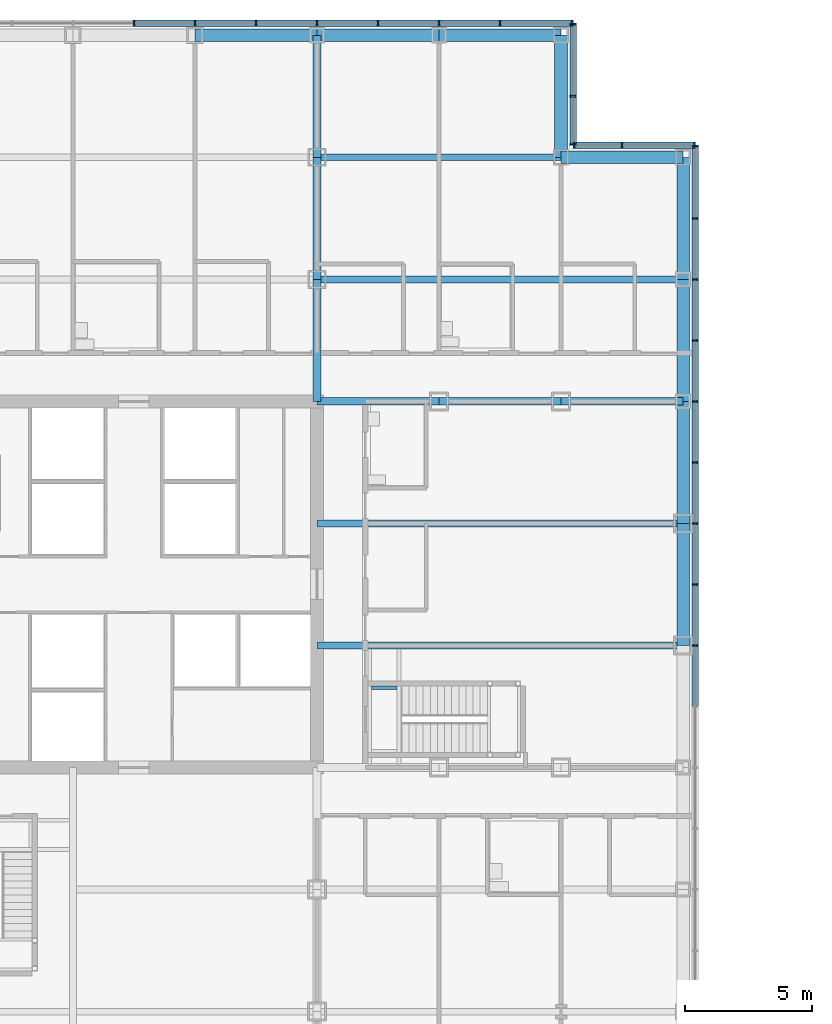
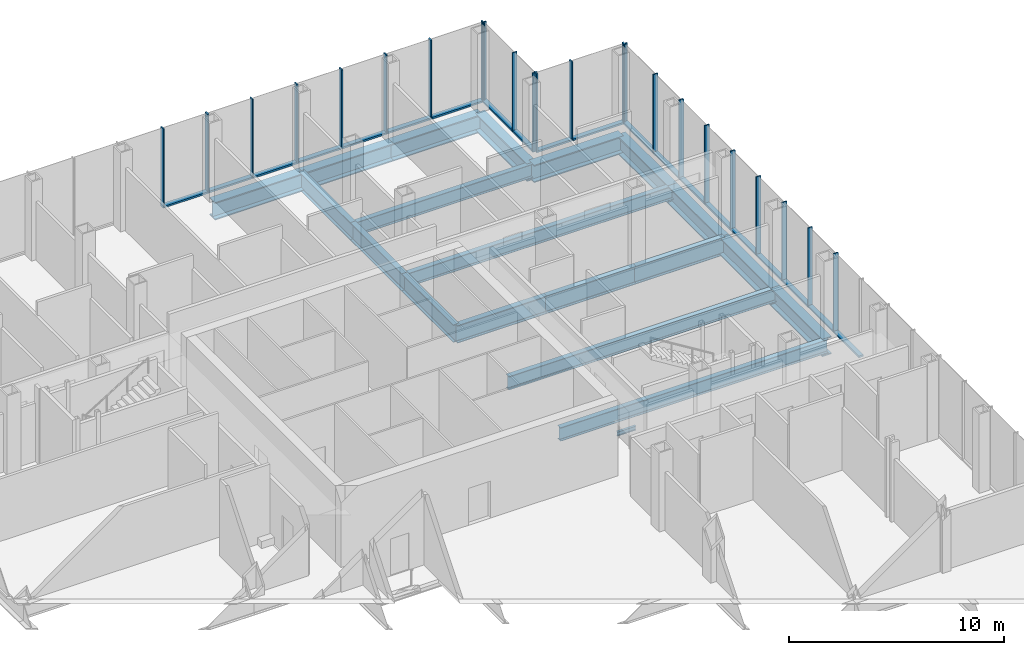
# One storey, part 16 of 28: 43 members, 20 beams, 4 elements without a shape of their own.
"""IFC4 building model written with IfcOpenShell, lengths in metres."""

from ifc_helpers import new_model, si_unit, direction, frame, origin, origin_2d, place, context, subcontext, project, spatial, rectangle, i_section, extrude, material, material_profile, profile_set, type_object, element, aggregate, save


model = new_model("IFC4")

# Units and contexts
model_context = context("Model", 3, precision=1e-05, world=origin(), true_north=direction((0.0, 1.0)))
body_context = subcontext(model_context, "Body", "Model", "MODEL_VIEW")
ifc_project = project(units=[si_unit("LENGTHUNIT", "METRE"), si_unit("AREAUNIT", "SQUARE_METRE"), si_unit("VOLUMEUNIT", "CUBIC_METRE"), si_unit("PLANEANGLEUNIT", "RADIAN"), si_unit("MASSUNIT", "GRAM", prefix="KILO")], contexts=[model_context])

# Site, building, storey
site_placement = place(None, origin())
site = spatial("IfcSite", under=ifc_project, at=site_placement, CompositionType="ELEMENT")
building_placement = place(site_placement, origin())
building = spatial("IfcBuilding", under=site, at=building_placement, Name="Kvirike Care Tower", CompositionType="ELEMENT")
storey_placement = place(building_placement, frame((0.0, 0.0, 4.5)))
storey = spatial("IfcBuildingStorey", under=building, at=storey_placement, Name="L01", CompositionType="ELEMENT", Elevation=4.5)

# Curtain wall, members
ifc_material_1 = material(Name="Anodised aluminium stick system", Category="aluminium")
curtain_wall_type = type_object("IfcCurtainWallType", Name="CW-P PODIUM STICK CURTAIN WALL", PredefinedType="NOTDEFINED", material=ifc_material_1)
curtain_wall_1_placement = place(storey_placement, origin())
curtain_wall_1 = element("IfcCurtainWall", 1, at=curtain_wall_1_placement, inside=storey, type_object=curtain_wall_type, Name="Curtain wall L01 face 8", PredefinedType="NOTDEFINED")
ifc_material_2 = material(Name="Bronze anodised aluminium mullion", Category="aluminium")
ifc_material_profile_1 = material_profile(ifc_material_2, rectangle(XDim=0.06494140625, YDim=0.25, at=origin_2d()), Name="CW-P MULLION 65x250")
ifc_profile_set_1 = profile_set([ifc_material_profile_1], Name="Bronze anodised aluminium mullion")
member_type_1 = type_object("IfcMemberType", Name="CW-P MULLION 65x250", PredefinedType="MULLION", material=ifc_profile_set_1)
member_1_placement = place(storey_placement, frame((43.675048828125, 33.60009765625, 0.0), z_axis=(0.0, 0.0, 1.0), x_axis=(0.0, 1.0, 0.0)))
member_1 = element("IfcMember", 2, at=member_1_placement, type_object=member_type_1, Name="CW-P mullion L01 face 8.9", PredefinedType="MULLION", context=body_context, shape_type="SweptSolid", body=[
    extrude(rectangle(XDim=0.06494140625, YDim=0.25, at=origin_2d()), origin(), (0.0, 0.0, 1.0), 4.5),
])
member_2_placement = place(storey_placement, frame((43.675048828125, 36.0, 0.0), z_axis=(0.0, 0.0, 1.0), x_axis=(0.0, 1.0, 0.0)))
member_2 = element("IfcMember", 3, at=member_2_placement, type_object=member_type_1, Name="CW-P mullion L01 face 8.10", PredefinedType="MULLION", context=body_context, shape_type="SweptSolid", body=[
    extrude(rectangle(XDim=0.06494140625, YDim=0.25, at=origin_2d()), origin(), (0.0, 0.0, 1.0), 4.5),
])
member_3_placement = place(storey_placement, frame((43.675048828125, 38.39990234375, 0.0), z_axis=(0.0, 0.0, 1.0), x_axis=(0.0, 1.0, 0.0)))
member_3 = element("IfcMember", 4, at=member_3_placement, type_object=member_type_1, Name="CW-P mullion L01 face 8.11", PredefinedType="MULLION", context=body_context, shape_type="SweptSolid", body=[
    extrude(rectangle(XDim=0.06494140625, YDim=0.25, at=origin_2d()), origin(), (0.0, 0.0, 1.0), 4.5),
])
member_4_placement = place(storey_placement, frame((43.675048828125, 40.800048828125, 0.0), z_axis=(0.0, 0.0, 1.0), x_axis=(0.0, 1.0, 0.0)))
member_4 = element("IfcMember", 5, at=member_4_placement, type_object=member_type_1, Name="CW-P mullion L01 face 8.12", PredefinedType="MULLION", context=body_context, shape_type="SweptSolid", body=[
    extrude(rectangle(XDim=0.06494140625, YDim=0.25, at=origin_2d()), origin(), (0.0, 0.0, 1.0), 4.5),
])
member_5_placement = place(storey_placement, frame((43.675048828125, 43.199951171875, 0.0), z_axis=(0.0, 0.0, 1.0), x_axis=(0.0, 1.0, 0.0)))
member_5 = element("IfcMember", 6, at=member_5_placement, type_object=member_type_1, Name="CW-P mullion L01 face 8.13", PredefinedType="MULLION", context=body_context, shape_type="SweptSolid", body=[
    extrude(rectangle(XDim=0.06494140625, YDim=0.25, at=origin_2d()), origin(), (0.0, 0.0, 1.0), 4.5),
])
member_6_placement = place(storey_placement, frame((43.675048828125, 45.60009765625, 0.0), z_axis=(0.0, 0.0, 1.0), x_axis=(0.0, 1.0, 0.0)))
member_6 = element("IfcMember", 7, at=member_6_placement, type_object=member_type_1, Name="CW-P mullion L01 face 8.14", PredefinedType="MULLION", context=body_context, shape_type="SweptSolid", body=[
    extrude(rectangle(XDim=0.06494140625, YDim=0.25, at=origin_2d()), origin(), (0.0, 0.0, 1.0), 4.5),
])
member_7_placement = place(storey_placement, frame((43.675048828125, 48.0, 0.0), z_axis=(0.0, 0.0, 1.0), x_axis=(0.0, 1.0, 0.0)))
member_7 = element("IfcMember", 8, at=member_7_placement, type_object=member_type_1, Name="CW-P mullion L01 face 8.15", PredefinedType="MULLION", context=body_context, shape_type="SweptSolid", body=[
    extrude(rectangle(XDim=0.06494140625, YDim=0.25, at=origin_2d()), origin(), (0.0, 0.0, 1.0), 4.5),
])
member_8_placement = place(storey_placement, frame((43.675048828125, 50.39990234375, 0.0), z_axis=(0.0, 0.0, 1.0), x_axis=(0.0, 1.0, 0.0)))
member_8 = element("IfcMember", 9, at=member_8_placement, type_object=member_type_1, Name="CW-P mullion L01 face 8.16", PredefinedType="MULLION", context=body_context, shape_type="SweptSolid", body=[
    extrude(rectangle(XDim=0.06494140625, YDim=0.25, at=origin_2d()), origin(), (0.0, 0.0, 1.0), 4.5),
])
member_9_placement = place(storey_placement, frame((43.675048828125, 53.242431640625, 0.0), z_axis=(0.0, 0.0, 1.0), x_axis=(0.0, 1.0, 0.0)))
member_9 = element("IfcMember", 10, at=member_9_placement, type_object=member_type_1, Name="CW-P mullion L01 face 8.17", PredefinedType="MULLION", context=body_context, shape_type="SweptSolid", body=[
    extrude(rectangle(XDim=0.06494140625, YDim=0.25, at=origin_2d()), origin(), (0.0, 0.0, 1.0), 4.5),
])

curtain_wall_2_placement = place(storey_placement, origin())
curtain_wall_2 = element("IfcCurtainWall", 11, at=curtain_wall_2_placement, inside=storey, type_object=curtain_wall_type, Name="Curtain wall L01 face 9", PredefinedType="NOTDEFINED")
member_10_placement = place(storey_placement, frame((43.642578125, 53.27490234375, 0.0), z_axis=(0.0, 0.0, 1.0), x_axis=(-1.0, 0.0, 0.0)))
member_10 = element("IfcMember", 12, at=member_10_placement, type_object=member_type_1, Name="CW-P mullion L01 face 9.1", PredefinedType="MULLION", context=body_context, shape_type="SweptSolid", body=[
    extrude(rectangle(XDim=0.06494140625, YDim=0.25, at=origin_2d()), origin(), (0.0, 0.0, 1.0), 4.5),
])
member_11_placement = place(storey_placement, frame((40.800048828125, 53.27490234375, 0.0), z_axis=(0.0, 0.0, 1.0), x_axis=(-1.0, 0.0, 0.0)))
member_11 = element("IfcMember", 13, at=member_11_placement, type_object=member_type_1, Name="CW-P mullion L01 face 9.2", PredefinedType="MULLION", context=body_context, shape_type="SweptSolid", body=[
    extrude(rectangle(XDim=0.06494140625, YDim=0.25, at=origin_2d()), origin(), (0.0, 0.0, 1.0), 4.5),
])
member_12_placement = place(storey_placement, frame((38.907470703125, 53.27490234375, 0.0), z_axis=(0.0, 0.0, 1.0), x_axis=(-1.0, 0.0, 0.0)))
member_12 = element("IfcMember", 14, at=member_12_placement, type_object=member_type_1, Name="CW-P mullion L01 face 9.3", PredefinedType="MULLION", context=body_context, shape_type="SweptSolid", body=[
    extrude(rectangle(XDim=0.06494140625, YDim=0.25, at=origin_2d()), origin(), (0.0, 0.0, 1.0), 4.5),
])

curtain_wall_3_placement = place(storey_placement, origin())
curtain_wall_3 = element("IfcCurtainWall", 15, at=curtain_wall_3_placement, inside=storey, type_object=curtain_wall_type, Name="Curtain wall L01 face 10", PredefinedType="NOTDEFINED")
member_13_placement = place(storey_placement, frame((38.875, 53.3076171875, 0.0), z_axis=(0.0, 0.0, 1.0), x_axis=(0.0, 1.0, 0.0)))
member_13 = element("IfcMember", 16, at=member_13_placement, type_object=member_type_1, Name="CW-P mullion L01 face 10.1", PredefinedType="MULLION", context=body_context, shape_type="SweptSolid", body=[
    extrude(rectangle(XDim=0.06494140625, YDim=0.25, at=origin_2d()), origin(), (0.0, 0.0, 1.0), 4.5),
])
member_14_placement = place(storey_placement, frame((38.875, 55.199951171875, 0.0), z_axis=(0.0, 0.0, 1.0), x_axis=(0.0, 1.0, 0.0)))
member_14 = element("IfcMember", 17, at=member_14_placement, type_object=member_type_1, Name="CW-P mullion L01 face 10.2", PredefinedType="MULLION", context=body_context, shape_type="SweptSolid", body=[
    extrude(rectangle(XDim=0.06494140625, YDim=0.25, at=origin_2d()), origin(), (0.0, 0.0, 1.0), 4.5),
])
member_15_placement = place(storey_placement, frame((38.875, 58.04248046875, 0.0), z_axis=(0.0, 0.0, 1.0), x_axis=(0.0, 1.0, 0.0)))
member_15 = element("IfcMember", 18, at=member_15_placement, type_object=member_type_1, Name="CW-P mullion L01 face 10.3", PredefinedType="MULLION", context=body_context, shape_type="SweptSolid", body=[
    extrude(rectangle(XDim=0.06494140625, YDim=0.25, at=origin_2d()), origin(), (0.0, 0.0, 1.0), 4.5),
])

curtain_wall_4_placement = place(storey_placement, origin())
curtain_wall_4 = element("IfcCurtainWall", 19, at=curtain_wall_4_placement, inside=storey, type_object=curtain_wall_type, Name="Curtain wall L01 face 11", PredefinedType="NOTDEFINED")
member_16_placement = place(storey_placement, frame((38.842529296875, 58.074951171875, 0.0), z_axis=(0.0, 0.0, 1.0), x_axis=(-1.0, 0.0, 0.0)))
member_16 = element("IfcMember", 20, at=member_16_placement, type_object=member_type_1, Name="CW-P mullion L01 face 11.1", PredefinedType="MULLION", context=body_context, shape_type="SweptSolid", body=[
    extrude(rectangle(XDim=0.06494140625, YDim=0.25, at=origin_2d()), origin(), (0.0, 0.0, 1.0), 4.5),
])
member_17_placement = place(storey_placement, frame((36.0, 58.074951171875, 0.0), z_axis=(0.0, 0.0, 1.0), x_axis=(-1.0, 0.0, 0.0)))
member_17 = element("IfcMember", 21, at=member_17_placement, type_object=member_type_1, Name="CW-P mullion L01 face 11.2", PredefinedType="MULLION", context=body_context, shape_type="SweptSolid", body=[
    extrude(rectangle(XDim=0.06494140625, YDim=0.25, at=origin_2d()), origin(), (0.0, 0.0, 1.0), 4.5),
])
member_18_placement = place(storey_placement, frame((33.60009765625, 58.074951171875, 0.0), z_axis=(0.0, 0.0, 1.0), x_axis=(-1.0, 0.0, 0.0)))
member_18 = element("IfcMember", 22, at=member_18_placement, type_object=member_type_1, Name="CW-P mullion L01 face 11.3", PredefinedType="MULLION", context=body_context, shape_type="SweptSolid", body=[
    extrude(rectangle(XDim=0.06494140625, YDim=0.25, at=origin_2d()), origin(), (0.0, 0.0, 1.0), 4.5),
])
member_19_placement = place(storey_placement, frame((31.199951171875, 58.074951171875, 0.0), z_axis=(0.0, 0.0, 1.0), x_axis=(-1.0, 0.0, 0.0)))
member_19 = element("IfcMember", 23, at=member_19_placement, type_object=member_type_1, Name="CW-P mullion L01 face 11.4", PredefinedType="MULLION", context=body_context, shape_type="SweptSolid", body=[
    extrude(rectangle(XDim=0.06494140625, YDim=0.25, at=origin_2d()), origin(), (0.0, 0.0, 1.0), 4.5),
])
member_20_placement = place(storey_placement, frame((28.800048828125, 58.074951171875, 0.0), z_axis=(0.0, 0.0, 1.0), x_axis=(-1.0, 0.0, 0.0)))
member_20 = element("IfcMember", 24, at=member_20_placement, type_object=member_type_1, Name="CW-P mullion L01 face 11.5", PredefinedType="MULLION", context=body_context, shape_type="SweptSolid", body=[
    extrude(rectangle(XDim=0.06494140625, YDim=0.25, at=origin_2d()), origin(), (0.0, 0.0, 1.0), 4.5),
])
member_21_placement = place(storey_placement, frame((26.39990234375, 58.074951171875, 0.0), z_axis=(0.0, 0.0, 1.0), x_axis=(-1.0, 0.0, 0.0)))
member_21 = element("IfcMember", 25, at=member_21_placement, type_object=member_type_1, Name="CW-P mullion L01 face 11.6", PredefinedType="MULLION", context=body_context, shape_type="SweptSolid", body=[
    extrude(rectangle(XDim=0.06494140625, YDim=0.25, at=origin_2d()), origin(), (0.0, 0.0, 1.0), 4.5),
])
member_22_placement = place(storey_placement, frame((24.0, 58.074951171875, 0.0), z_axis=(0.0, 0.0, 1.0), x_axis=(-1.0, 0.0, 0.0)))
member_22 = element("IfcMember", 26, at=member_22_placement, type_object=member_type_1, Name="CW-P mullion L01 face 11.7", PredefinedType="MULLION", context=body_context, shape_type="SweptSolid", body=[
    extrude(rectangle(XDim=0.06494140625, YDim=0.25, at=origin_2d()), origin(), (0.0, 0.0, 1.0), 4.5),
])
member_23_placement = place(storey_placement, frame((21.60009765625, 58.074951171875, 0.0), z_axis=(0.0, 0.0, 1.0), x_axis=(-1.0, 0.0, 0.0)))
member_23 = element("IfcMember", 27, at=member_23_placement, type_object=member_type_1, Name="CW-P mullion L01 face 11.8", PredefinedType="MULLION", context=body_context, shape_type="SweptSolid", body=[
    extrude(rectangle(XDim=0.06494140625, YDim=0.25, at=origin_2d()), origin(), (0.0, 0.0, 1.0), 4.5),
])

# Member
ifc_material_3 = material(Name="Bronze anodised aluminium transom", Category="aluminium")
ifc_material_profile_2 = material_profile(ifc_material_3, rectangle(XDim=0.25, YDim=0.10009765625, at=origin_2d()), Name="CW-P TRANSOM 250x100")
ifc_profile_set_2 = profile_set([ifc_material_profile_2], Name="Bronze anodised aluminium transom")
member_type_2 = type_object("IfcMemberType", Name="CW-P TRANSOM 250x100", PredefinedType="USERDEFINED", material=ifc_profile_set_2)
member_24_placement = place(storey_placement, frame((43.675048828125, 31.232421875, 0.050048828125), z_axis=(0.0, 1.0, 0.0), x_axis=(-1.0, 0.0, 0.0)))
member_24 = element("IfcMember", 28, at=member_24_placement, type_object=member_type_2, Name="CW-P sill transom L01 face 8.8", ObjectType="TRANSOM", PredefinedType="USERDEFINED", context=body_context, shape_type="SweptSolid", body=[
    extrude(rectangle(XDim=0.25, YDim=0.10009765625, at=origin_2d()), origin(), (0.0, 0.0, 1.0), 2.3349609375),
])

member_25_placement = place(storey_placement, frame((43.675048828125, 33.632568359375, 0.050048828125), z_axis=(0.0, 1.0, 0.0), x_axis=(-1.0, 0.0, 0.0)))
member_25 = element("IfcMember", 29, at=member_25_placement, type_object=member_type_2, Name="CW-P sill transom L01 face 8.9", ObjectType="TRANSOM", PredefinedType="USERDEFINED", context=body_context, shape_type="SweptSolid", body=[
    extrude(rectangle(XDim=0.25, YDim=0.10009765625, at=origin_2d()), origin(), (0.0, 0.0, 1.0), 2.3349609375),
])

member_26_placement = place(storey_placement, frame((43.675048828125, 36.032470703125, 0.050048828125), z_axis=(0.0, 1.0, 0.0), x_axis=(-1.0, 0.0, 0.0)))
member_26 = element("IfcMember", 30, at=member_26_placement, type_object=member_type_2, Name="CW-P sill transom L01 face 8.10", ObjectType="TRANSOM", PredefinedType="USERDEFINED", context=body_context, shape_type="SweptSolid", body=[
    extrude(rectangle(XDim=0.25, YDim=0.10009765625, at=origin_2d()), origin(), (0.0, 0.0, 1.0), 2.3349609375),
])

member_27_placement = place(storey_placement, frame((43.675048828125, 38.4326171875, 0.050048828125), z_axis=(0.0, 1.0, 0.0), x_axis=(-1.0, 0.0, 0.0)))
member_27 = element("IfcMember", 31, at=member_27_placement, type_object=member_type_2, Name="CW-P sill transom L01 face 8.11", ObjectType="TRANSOM", PredefinedType="USERDEFINED", context=body_context, shape_type="SweptSolid", body=[
    extrude(rectangle(XDim=0.25, YDim=0.10009765625, at=origin_2d()), origin(), (0.0, 0.0, 1.0), 2.3349609375),
])

member_28_placement = place(storey_placement, frame((43.675048828125, 40.83251953125, 0.050048828125), z_axis=(0.0, 1.0, 0.0), x_axis=(-1.0, 0.0, 0.0)))
member_28 = element("IfcMember", 32, at=member_28_placement, type_object=member_type_2, Name="CW-P sill transom L01 face 8.12", ObjectType="TRANSOM", PredefinedType="USERDEFINED", context=body_context, shape_type="SweptSolid", body=[
    extrude(rectangle(XDim=0.25, YDim=0.10009765625, at=origin_2d()), origin(), (0.0, 0.0, 1.0), 2.3349609375),
])

member_29_placement = place(storey_placement, frame((43.675048828125, 43.232421875, 0.050048828125), z_axis=(0.0, 1.0, 0.0), x_axis=(-1.0, 0.0, 0.0)))
member_29 = element("IfcMember", 33, at=member_29_placement, type_object=member_type_2, Name="CW-P sill transom L01 face 8.13", ObjectType="TRANSOM", PredefinedType="USERDEFINED", context=body_context, shape_type="SweptSolid", body=[
    extrude(rectangle(XDim=0.25, YDim=0.10009765625, at=origin_2d()), origin(), (0.0, 0.0, 1.0), 2.3349609375),
])

member_30_placement = place(storey_placement, frame((43.675048828125, 45.632568359375, 0.050048828125), z_axis=(0.0, 1.0, 0.0), x_axis=(-1.0, 0.0, 0.0)))
member_30 = element("IfcMember", 34, at=member_30_placement, type_object=member_type_2, Name="CW-P sill transom L01 face 8.14", ObjectType="TRANSOM", PredefinedType="USERDEFINED", context=body_context, shape_type="SweptSolid", body=[
    extrude(rectangle(XDim=0.25, YDim=0.10009765625, at=origin_2d()), origin(), (0.0, 0.0, 1.0), 2.3349609375),
])

member_31_placement = place(storey_placement, frame((43.675048828125, 48.032470703125, 0.050048828125), z_axis=(0.0, 1.0, 0.0), x_axis=(-1.0, 0.0, 0.0)))
member_31 = element("IfcMember", 35, at=member_31_placement, type_object=member_type_2, Name="CW-P sill transom L01 face 8.15", ObjectType="TRANSOM", PredefinedType="USERDEFINED", context=body_context, shape_type="SweptSolid", body=[
    extrude(rectangle(XDim=0.25, YDim=0.10009765625, at=origin_2d()), origin(), (0.0, 0.0, 1.0), 2.3349609375),
])

member_32_placement = place(storey_placement, frame((43.675048828125, 50.4326171875, 0.050048828125), z_axis=(0.0, 1.0, 0.0), x_axis=(-1.0, 0.0, 0.0)))
member_32 = element("IfcMember", 36, at=member_32_placement, type_object=member_type_2, Name="CW-P sill transom L01 face 8.16", ObjectType="TRANSOM", PredefinedType="USERDEFINED", context=body_context, shape_type="SweptSolid", body=[
    extrude(rectangle(XDim=0.25, YDim=0.10009765625, at=origin_2d()), origin(), (0.0, 0.0, 1.0), 2.77734375),
])

aggregate(curtain_wall_1, [member_1, member_2, member_3, member_4, member_5, member_6, member_7, member_8, member_9, member_24, member_25, member_26, member_27, member_28, member_29, member_30, member_31, member_32])

member_33_placement = place(storey_placement, frame((43.610107421875, 53.27490234375, 0.050048828125), z_axis=(-1.0, 0.0, 0.0), x_axis=(0.0, -1.0, 0.0)))
member_33 = element("IfcMember", 37, at=member_33_placement, type_object=member_type_2, Name="CW-P sill transom L01 face 9.1", ObjectType="TRANSOM", PredefinedType="USERDEFINED", context=body_context, shape_type="SweptSolid", body=[
    extrude(rectangle(XDim=0.25, YDim=0.10009765625, at=origin_2d()), origin(), (0.0, 0.0, 1.0), 2.777587890625),
])

member_34_placement = place(storey_placement, frame((40.767578125, 53.27490234375, 0.050048828125), z_axis=(-1.0, 0.0, 0.0), x_axis=(0.0, -1.0, 0.0)))
member_34 = element("IfcMember", 38, at=member_34_placement, type_object=member_type_2, Name="CW-P sill transom L01 face 9.2", ObjectType="TRANSOM", PredefinedType="USERDEFINED", context=body_context, shape_type="SweptSolid", body=[
    extrude(rectangle(XDim=0.25, YDim=0.10009765625, at=origin_2d()), origin(), (0.0, 0.0, 1.0), 1.82763671875),
])

aggregate(curtain_wall_2, [member_10, member_11, member_12, member_33, member_34])

member_35_placement = place(storey_placement, frame((38.875, 53.340087890625, 0.050048828125), z_axis=(0.0, 1.0, 0.0), x_axis=(-1.0, 0.0, 0.0)))
member_35 = element("IfcMember", 39, at=member_35_placement, type_object=member_type_2, Name="CW-P sill transom L01 face 10.1", ObjectType="TRANSOM", PredefinedType="USERDEFINED", context=body_context, shape_type="SweptSolid", body=[
    extrude(rectangle(XDim=0.25, YDim=0.10009765625, at=origin_2d()), origin(), (0.0, 0.0, 1.0), 1.827392578125),
])

member_36_placement = place(storey_placement, frame((38.875, 55.232421875, 0.050048828125), z_axis=(0.0, 1.0, 0.0), x_axis=(-1.0, 0.0, 0.0)))
member_36 = element("IfcMember", 40, at=member_36_placement, type_object=member_type_2, Name="CW-P sill transom L01 face 10.2", ObjectType="TRANSOM", PredefinedType="USERDEFINED", context=body_context, shape_type="SweptSolid", body=[
    extrude(rectangle(XDim=0.25, YDim=0.10009765625, at=origin_2d()), origin(), (0.0, 0.0, 1.0), 2.777587890625),
])

aggregate(curtain_wall_3, [member_13, member_14, member_15, member_35, member_36])

member_37_placement = place(storey_placement, frame((38.81005859375, 58.074951171875, 0.050048828125), z_axis=(-1.0, 0.0, 0.0), x_axis=(0.0, -1.0, 0.0)))
member_37 = element("IfcMember", 41, at=member_37_placement, type_object=member_type_2, Name="CW-P sill transom L01 face 11.1", ObjectType="TRANSOM", PredefinedType="USERDEFINED", context=body_context, shape_type="SweptSolid", body=[
    extrude(rectangle(XDim=0.25, YDim=0.10009765625, at=origin_2d()), origin(), (0.0, 0.0, 1.0), 2.777587890625),
])

member_38_placement = place(storey_placement, frame((35.967529296875, 58.074951171875, 0.050048828125), z_axis=(-1.0, 0.0, 0.0), x_axis=(0.0, -1.0, 0.0)))
member_38 = element("IfcMember", 42, at=member_38_placement, type_object=member_type_2, Name="CW-P sill transom L01 face 11.2", ObjectType="TRANSOM", PredefinedType="USERDEFINED", context=body_context, shape_type="SweptSolid", body=[
    extrude(rectangle(XDim=0.25, YDim=0.10009765625, at=origin_2d()), origin(), (0.0, 0.0, 1.0), 2.3349609375),
])

member_39_placement = place(storey_placement, frame((33.5673828125, 58.074951171875, 0.050048828125), z_axis=(-1.0, 0.0, 0.0), x_axis=(0.0, -1.0, 0.0)))
member_39 = element("IfcMember", 43, at=member_39_placement, type_object=member_type_2, Name="CW-P sill transom L01 face 11.3", ObjectType="TRANSOM", PredefinedType="USERDEFINED", context=body_context, shape_type="SweptSolid", body=[
    extrude(rectangle(XDim=0.25, YDim=0.10009765625, at=origin_2d()), origin(), (0.0, 0.0, 1.0), 2.3349609375),
])

member_40_placement = place(storey_placement, frame((31.16748046875, 58.074951171875, 0.050048828125), z_axis=(-1.0, 0.0, 0.0), x_axis=(0.0, -1.0, 0.0)))
member_40 = element("IfcMember", 44, at=member_40_placement, type_object=member_type_2, Name="CW-P sill transom L01 face 11.4", ObjectType="TRANSOM", PredefinedType="USERDEFINED", context=body_context, shape_type="SweptSolid", body=[
    extrude(rectangle(XDim=0.25, YDim=0.10009765625, at=origin_2d()), origin(), (0.0, 0.0, 1.0), 2.3349609375),
])

member_41_placement = place(storey_placement, frame((28.767578125, 58.074951171875, 0.050048828125), z_axis=(-1.0, 0.0, 0.0), x_axis=(0.0, -1.0, 0.0)))
member_41 = element("IfcMember", 45, at=member_41_placement, type_object=member_type_2, Name="CW-P sill transom L01 face 11.5", ObjectType="TRANSOM", PredefinedType="USERDEFINED", context=body_context, shape_type="SweptSolid", body=[
    extrude(rectangle(XDim=0.25, YDim=0.10009765625, at=origin_2d()), origin(), (0.0, 0.0, 1.0), 2.3349609375),
])

member_42_placement = place(storey_placement, frame((26.367431640625, 58.074951171875, 0.050048828125), z_axis=(-1.0, 0.0, 0.0), x_axis=(0.0, -1.0, 0.0)))
member_42 = element("IfcMember", 46, at=member_42_placement, type_object=member_type_2, Name="CW-P sill transom L01 face 11.6", ObjectType="TRANSOM", PredefinedType="USERDEFINED", context=body_context, shape_type="SweptSolid", body=[
    extrude(rectangle(XDim=0.25, YDim=0.10009765625, at=origin_2d()), origin(), (0.0, 0.0, 1.0), 2.3349609375),
])

member_43_placement = place(storey_placement, frame((23.967529296875, 58.074951171875, 0.050048828125), z_axis=(-1.0, 0.0, 0.0), x_axis=(0.0, -1.0, 0.0)))
member_43 = element("IfcMember", 47, at=member_43_placement, type_object=member_type_2, Name="CW-P sill transom L01 face 11.7", ObjectType="TRANSOM", PredefinedType="USERDEFINED", context=body_context, shape_type="SweptSolid", body=[
    extrude(rectangle(XDim=0.25, YDim=0.10009765625, at=origin_2d()), origin(), (0.0, 0.0, 1.0), 2.3349609375),
])

aggregate(curtain_wall_4, [member_16, member_17, member_18, member_19, member_20, member_21, member_22, member_23, member_37, member_38, member_39, member_40, member_41, member_42, member_43])

# Beams
ifc_material_4 = material(Name="Steel S355", Category="steel")
ifc_material_profile_3 = material_profile(ifc_material_4, i_section(OverallWidth=0.26806640625, OverallDepth=0.77001953125, WebThickness=0.015625, FlangeThickness=0.025390625, FilletRadius=0.01708984375, at=origin_2d()), Name="IPE 750x196")
ifc_profile_set_3 = profile_set([ifc_material_profile_3], Name="Steel S355")
beam_type_1 = type_object("IfcBeamType", Name="FLOOR BEAM IPE 750x196", PredefinedType="BEAM", material=ifc_profile_set_3)
for number, where, z_axis, x_axis, name in (
    (48, (28.800048828125, 33.60009765625, -0.554931640625), (1.0, 0.0, 0.0), (0.0, 1.0, 0.0), "Floor Beam H9-H12 L01"),
    (49, (28.800048828125, 38.39990234375, -0.554931640625), (1.0, 0.0, 0.0), (0.0, 1.0, 0.0), "Floor Beam J9-J12 L01"),
    (50, (28.800048828125, 48.0, -0.554931640625), (1.0, 0.0, 0.0), (0.0, 1.0, 0.0), "Floor Beam L9-L12 L01"),
):
    element("IfcBeam", number, at=place(storey_placement, frame(where, z_axis=z_axis, x_axis=x_axis)), inside=storey, type_object=beam_type_1, Name=name, PredefinedType="BEAM", context=body_context, shape_type="SweptSolid", body=[
        extrude(i_section(OverallWidth=0.26806640625, OverallDepth=0.77001953125, WebThickness=0.015625, FlangeThickness=0.025390625, FilletRadius=0.01708984375, at=origin_2d()), origin(), (0.0, 0.0, 1.0), 14.39990234375),
    ])
beam_1_placement = place(storey_placement, frame((28.800048828125, 52.800048828125, -0.554931640625), z_axis=(1.0, 0.0, 0.0), x_axis=(0.0, 1.0, 0.0)))
element("IfcBeam", 51, at=beam_1_placement, inside=storey, type_object=beam_type_1, Name="Floor Beam M9-M11 L01", PredefinedType="BEAM", context=body_context, shape_type="SweptSolid", body=[
    extrude(i_section(OverallWidth=0.26806640625, OverallDepth=0.77001953125, WebThickness=0.015625, FlangeThickness=0.025390625, FilletRadius=0.01708984375, at=origin_2d()), origin(), (0.0, 0.0, 1.0), 9.599853515625),
])
ifc_material_5 = material(Name="Steel S355", Category="steel")
ifc_material_profile_4 = material_profile(ifc_material_5, i_section(OverallWidth=0.300048828125, OverallDepth=1.0, WebThickness=0.01904296875, FlangeThickness=0.035888671875, FilletRadius=0.030029296875, at=origin_2d()), Name="HE 1000 B")
ifc_profile_set_4 = profile_set([ifc_material_profile_4], Name="Steel S355")
beam_type_2 = type_object("IfcBeamType", Name="FRAME BEAM HE 1000 B", PredefinedType="BEAM", material=ifc_profile_set_4)
beam_2_placement = place(storey_placement, frame((28.800048828125, 43.199951171875, -0.669921875), z_axis=(1.0, 0.0, 0.0), x_axis=(0.0, 1.0, 0.0)))
element("IfcBeam", 52, at=beam_2_placement, inside=storey, type_object=beam_type_2, Name="Frame Beam K9-K10 L01", PredefinedType="BEAM", context=body_context, shape_type="SweptSolid", body=[
    extrude(i_section(OverallWidth=0.300048828125, OverallDepth=1.0, WebThickness=0.01904296875, FlangeThickness=0.035888671875, FilletRadius=0.030029296875, at=origin_2d()), origin(), (0.0, 0.0, 1.0), 4.800048828125),
])
beam_3_placement = place(storey_placement, frame((33.60009765625, 43.199951171875, -0.669921875), z_axis=(1.0, 0.0, 0.0), x_axis=(0.0, 1.0, 0.0)))
element("IfcBeam", 53, at=beam_3_placement, inside=storey, type_object=beam_type_2, Name="Frame Beam K10-K11 L01", PredefinedType="BEAM", context=body_context, shape_type="SweptSolid", body=[
    extrude(i_section(OverallWidth=0.300048828125, OverallDepth=1.0, WebThickness=0.01904296875, FlangeThickness=0.035888671875, FilletRadius=0.030029296875, at=origin_2d()), origin(), (0.0, 0.0, 1.0), 4.7998046875),
])
for number, where, z_axis, x_axis, name in (
    (54, (38.39990234375, 43.199951171875, -0.669921875), (1.0, 0.0, 0.0), (0.0, 1.0, 0.0), "Frame Beam K11-K12 L01"),
    (55, (28.800048828125, 43.199951171875, -0.669921875), (0.0, 1.0, 0.0), (-1.0, 0.0, 0.0), "Frame Beam K9-L9 L01"),
    (56, (28.800048828125, 48.0, -0.669921875), (0.0, 1.0, 0.0), (-1.0, 0.0, 0.0), "Frame Beam L9-M9 L01"),
    (57, (28.800048828125, 52.800048828125, -0.669921875), (0.0, 1.0, 0.0), (-1.0, 0.0, 0.0), "Frame Beam M9-N9 L01"),
):
    element("IfcBeam", number, at=place(storey_placement, frame(where, z_axis=z_axis, x_axis=x_axis)), inside=storey, type_object=beam_type_2, Name=name, PredefinedType="BEAM", context=body_context, shape_type="SweptSolid", body=[
        extrude(i_section(OverallWidth=0.300048828125, OverallDepth=1.0, WebThickness=0.01904296875, FlangeThickness=0.035888671875, FilletRadius=0.030029296875, at=origin_2d()), origin(), (0.0, 0.0, 1.0), 4.800048828125),
    ])
ifc_material_6 = material(Name="Steel S355", Category="steel")
ifc_material_profile_5 = material_profile(ifc_material_6, i_section(OverallWidth=0.5, OverallDepth=1.0, WebThickness=0.030029296875, FlangeThickness=0.06005859375, at=origin_2d()), Name="PG 1000x500x30x60")
ifc_profile_set_5 = profile_set([ifc_material_profile_5], Name="Steel S355")
beam_type_3 = type_object("IfcBeamType", Name="SPANDREL PG 1000x500x30x60", PredefinedType="SPANDREL", material=ifc_profile_set_5)
for number, where, z_axis, x_axis, name in (
    (58, (38.39990234375, 52.800048828125, -0.669921875), (1.0, 0.0, 0.0), (0.0, 1.0, 0.0), "Spandrel M11-M12 L01"),
    (59, (24.0, 57.60009765625, -0.669921875), (1.0, 0.0, 0.0), (0.0, 1.0, 0.0), "Spandrel N8-N9 L01"),
    (60, (28.800048828125, 57.60009765625, -0.669921875), (1.0, 0.0, 0.0), (0.0, 1.0, 0.0), "Spandrel N9-N10 L01"),
):
    element("IfcBeam", number, at=place(storey_placement, frame(where, z_axis=z_axis, x_axis=x_axis)), inside=storey, type_object=beam_type_3, Name=name, PredefinedType="SPANDREL", context=body_context, shape_type="SweptSolid", body=[
        extrude(i_section(OverallWidth=0.5, OverallDepth=1.0, WebThickness=0.030029296875, FlangeThickness=0.06005859375, at=origin_2d()), origin(), (0.0, 0.0, 1.0), 4.800048828125),
    ])
beam_4_placement = place(storey_placement, frame((33.60009765625, 57.60009765625, -0.669921875), z_axis=(1.0, 0.0, 0.0), x_axis=(0.0, 1.0, 0.0)))
element("IfcBeam", 61, at=beam_4_placement, inside=storey, type_object=beam_type_3, Name="Spandrel N10-N11 L01", PredefinedType="SPANDREL", context=body_context, shape_type="SweptSolid", body=[
    extrude(i_section(OverallWidth=0.5, OverallDepth=1.0, WebThickness=0.030029296875, FlangeThickness=0.06005859375, at=origin_2d()), origin(), (0.0, 0.0, 1.0), 4.7998046875),
])
beam_5_placement = place(storey_placement, frame((38.39990234375, 52.800048828125, -0.669921875), z_axis=(0.0, 1.0, 0.0), x_axis=(-1.0, 0.0, 0.0)))
element("IfcBeam", 62, at=beam_5_placement, inside=storey, type_object=beam_type_3, Name="Spandrel M11-N11 L01", PredefinedType="SPANDREL", context=body_context, shape_type="SweptSolid", body=[
    extrude(i_section(OverallWidth=0.5, OverallDepth=1.0, WebThickness=0.030029296875, FlangeThickness=0.06005859375, at=origin_2d()), origin(), (0.0, 0.0, 1.0), 4.800048828125),
])
beam_6_placement = place(storey_placement, frame((43.199951171875, 33.60009765625, -0.669921875), z_axis=(0.0, 1.0, 0.0), x_axis=(-1.0, 0.0, 0.0)))
element("IfcBeam", 63, at=beam_6_placement, inside=storey, type_object=beam_type_3, Name="Spandrel H12-J12 L01", PredefinedType="SPANDREL", context=body_context, shape_type="SweptSolid", body=[
    extrude(i_section(OverallWidth=0.5, OverallDepth=1.0, WebThickness=0.030029296875, FlangeThickness=0.06005859375, at=origin_2d()), origin(), (0.0, 0.0, 1.0), 4.7998046875),
])
for number, where, z_axis, x_axis, name in (
    (64, (43.199951171875, 38.39990234375, -0.669921875), (0.0, 1.0, 0.0), (-1.0, 0.0, 0.0), "Spandrel J12-K12 L01"),
    (65, (43.199951171875, 43.199951171875, -0.669921875), (0.0, 1.0, 0.0), (-1.0, 0.0, 0.0), "Spandrel K12-L12 L01"),
    (66, (43.199951171875, 48.0, -0.669921875), (0.0, 1.0, 0.0), (-1.0, 0.0, 0.0), "Spandrel L12-M12 L01"),
):
    element("IfcBeam", number, at=place(storey_placement, frame(where, z_axis=z_axis, x_axis=x_axis)), inside=storey, type_object=beam_type_3, Name=name, PredefinedType="SPANDREL", context=body_context, shape_type="SweptSolid", body=[
        extrude(i_section(OverallWidth=0.5, OverallDepth=1.0, WebThickness=0.030029296875, FlangeThickness=0.06005859375, at=origin_2d()), origin(), (0.0, 0.0, 1.0), 4.800048828125),
    ])
ifc_material_7 = material(Name="Steel S355", Category="steel")
ifc_material_profile_6 = material_profile(ifc_material_7, i_section(OverallWidth=0.1201171875, OverallDepth=0.239990234375, WebThickness=0.006103515625, FlangeThickness=0.009765625, FilletRadius=0.014892578125, at=origin_2d()), Name="IPE 240")
ifc_profile_set_6 = profile_set([ifc_material_profile_6], Name="Steel S355")
beam_type_4 = type_object("IfcBeamType", Name="STAIR LANDING BEAM IPE 240", PredefinedType="BEAM", material=ifc_profile_set_6)
beam_7_placement = place(storey_placement, frame((31.949951171875, 31.93994140625, -0.320068359375), z_axis=(-1.0, 0.0, 0.0), x_axis=(0.0, -1.0, 0.0)))
element("IfcBeam", 67, at=beam_7_placement, inside=storey, type_object=beam_type_4, Name="Stair 2 landing edge beam 2 L01", PredefinedType="BEAM", context=body_context, shape_type="SweptSolid", body=[
    extrude(i_section(OverallWidth=0.1201171875, OverallDepth=0.239990234375, WebThickness=0.006103515625, FlangeThickness=0.009765625, FilletRadius=0.014892578125, at=origin_2d()), origin(), (0.0, 0.0, 1.0), 1.0),
])

save(model, "model.ifc")
